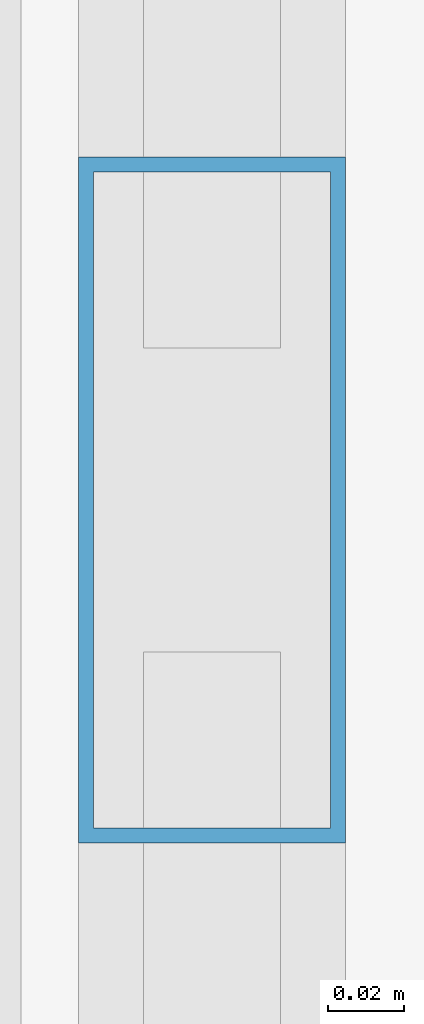
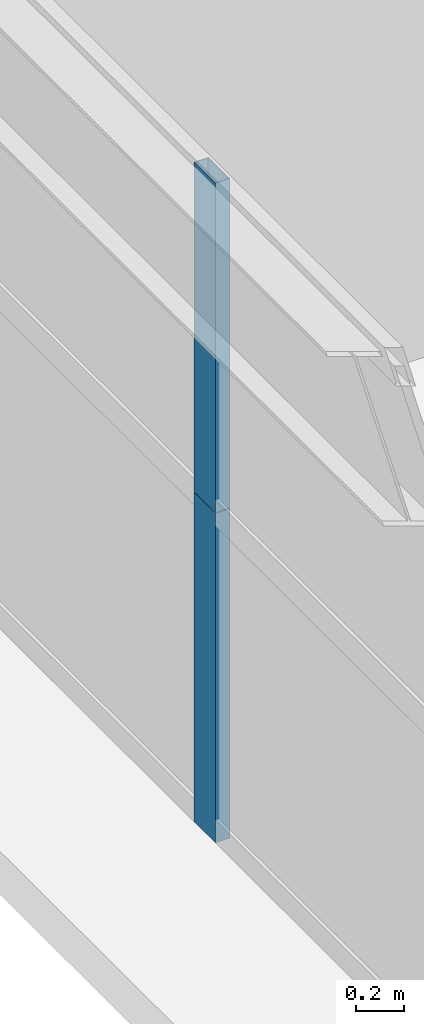
# One storey, part 10 of 45: 2 members, 1 element without a shape of its own.
"""IFC4 building model written with IfcOpenShell, lengths in metres."""

from ifc_helpers import new_model, si_unit, direction, frame, origin, origin_2d, place, context, subcontext, project, spatial, hollow_rectangle, extrude, source, transform, mapped, material, layer, layer_set, material_profile, profile_set, type_object, element, aggregate, save


model = new_model("IFC4")

# Units and contexts
model_context = context("Model", 3, precision=1e-05, world=origin(), true_north=direction((0.0, 1.0)))
body_context = subcontext(model_context, "Body", "Model", "MODEL_VIEW")
ifc_project = project(units=[si_unit("LENGTHUNIT", "METRE"), si_unit("AREAUNIT", "SQUARE_METRE"), si_unit("VOLUMEUNIT", "CUBIC_METRE"), si_unit("PLANEANGLEUNIT", "RADIAN"), si_unit("MASSUNIT", "GRAM", prefix="KILO"), si_unit("THERMODYNAMICTEMPERATUREUNIT", "KELVIN"), si_unit("POWERUNIT", "WATT")], contexts=[model_context])

# Site, building, storey
site_placement = place(None, origin())
site = spatial("IfcSite", under=ifc_project, at=site_placement, CompositionType="ELEMENT")
building_placement = place(site_placement, origin())
building = spatial("IfcBuilding", under=site, at=building_placement, Name="Yuzanri Waterfront Tower", CompositionType="ELEMENT")
storey_placement = place(building_placement, frame((0.0, 0.0, 34.199951171875)))
storey = spatial("IfcBuildingStorey", under=building, at=storey_placement, Name="L08", CompositionType="ELEMENT", Elevation=34.199951171875)

# Curtain wall, members
ifc_material_1 = material(Name="Anodized Architectural Bronze", Category="metal")
ifc_layer = layer(ifc_material_1, 0.159912109375)
ifc_layer_set = layer_set([ifc_layer], Name="Anodized Architectural Bronze")
curtain_wall_type = type_object("IfcCurtainWallType", Name="Anodized Bronze Hotel Lower-Tier Recessed Unitized Curtain Wall 8100", PredefinedType="NOTDEFINED", material=ifc_layer_set)
curtain_wall_placement = place(storey_placement, origin())
curtain_wall = element("IfcCurtainWall", 1, at=curtain_wall_placement, inside=storey, type_object=curtain_wall_type, Name="L08 Curtain Wall CW-L08-WL", PredefinedType="NOTDEFINED")
ifc_material_2 = material(Name="Anodized Architectural Bronze", Category="metal")
ifc_material_profile = material_profile(ifc_material_2, hollow_rectangle(XDim=0.070068359375, YDim=0.179931640625, WallThickness=0.00390625, at=origin_2d()), Name="CWM 70x180")
ifc_profile_set = profile_set([ifc_material_profile], Name="Anodized Architectural Bronze")
member_type = type_object("IfcMemberType", Name="Anodized Bronze Standard Curtain-Wall Mullion 70x180", PredefinedType="MULLION", material=ifc_profile_set)
shared_shape = source(origin(), body_context, "Body", "SweptSolid", [
    extrude(hollow_rectangle(XDim=0.070068359375, YDim=0.179931640625, WallThickness=0.00390625, at=origin_2d()), origin(), (0.0, 0.0, 1.0), 1.68798828125),
])
member_1_placement = place(storey_placement, frame((12.050048828125, 16.699951171875, 0.0), z_axis=(0.0, 0.0, 1.0), x_axis=(1.0, 0.0, 0.0)))
member_1 = element("IfcMember", 2, at=member_1_placement, type_object=member_type, Name="CW-L08-WL Lower Mullion 01", PredefinedType="MULLION", context=body_context, shape_type="MappedRepresentation", body=[
    mapped(shared_shape, transform((0.0, 0.0, 0.0), scale=1.0)),
])
member_2_placement = place(storey_placement, frame((12.050048828125, 16.699951171875, 1.692138671875), z_axis=(0.0, 0.0, 1.0), x_axis=(1.0, 0.0, 0.0)))
member_2 = element("IfcMember", 3, at=member_2_placement, type_object=member_type, Name="CW-L08-WL Upper Mullion 01", PredefinedType="MULLION", context=body_context, shape_type="MappedRepresentation", body=[
    mapped(shared_shape, transform((0.0, 0.0, 0.0), scale=1.0)),
])
aggregate(curtain_wall, [member_1, member_2])

save(model, "model.ifc")
